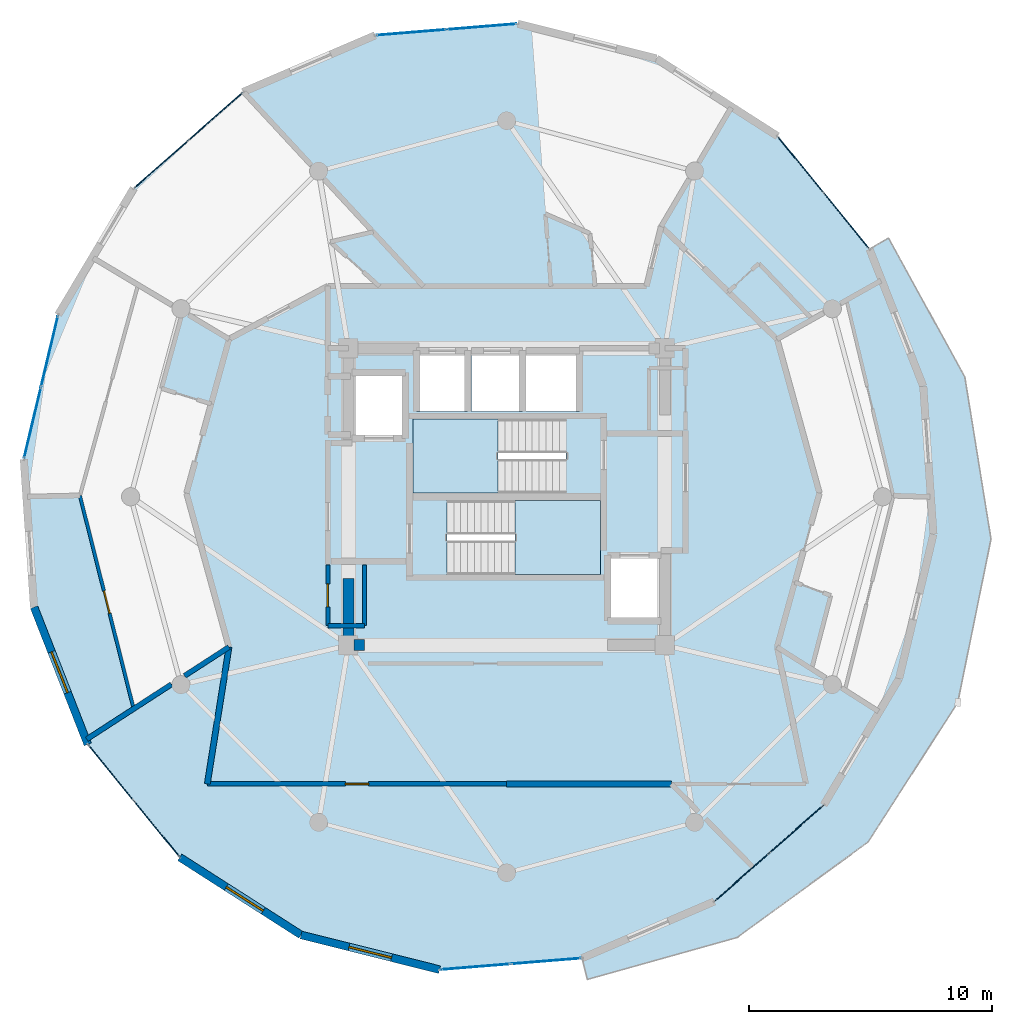
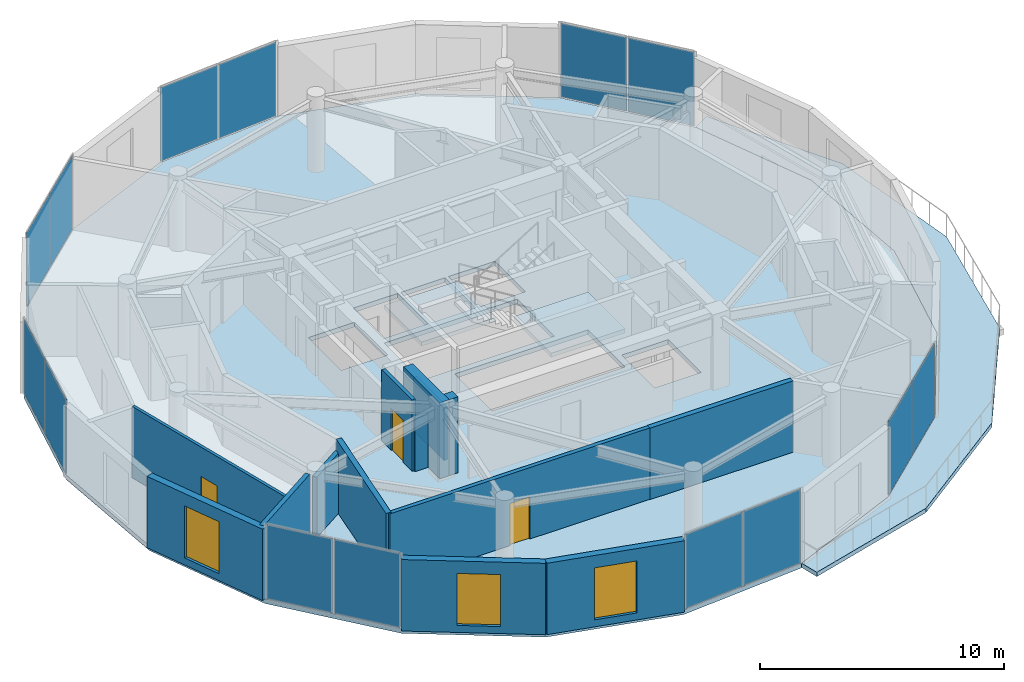
# One storey, part 16 of 22: 14 plates, 14 walls, 4 slabs, 3 doors, 3 windows, 6 openings, 9 elements without a shape of their own.
"""IFC4 building model written with IfcOpenShell, lengths in metres."""

import ifcopenshell
import ifcopenshell.guid

model = None  # the IFC model being written
_history = None  # IfcOwnerHistory: only IFC2X3 demands one
_inside = {}  # id of a spatial element -> (the spatial element, [elements in it])
_under = {}  # id of a project, library or spatial element -> (it, [spatial elements below it])
_declared = {}  # id of a project -> (the project, [libraries it declares])
_typed = {}  # id of a type object -> (the type object, [elements of that type])
_made_of = {}  # id of a material, layer set ... -> (it, [elements and type objects made of it])


def new_model(schema):
    """Start an empty IFC model of exactly this schema.

    Asked for "IFC4X3", IfcOpenShell would pick the latest addendum, in which some entities
    have other attributes; the version numbers below select the first issue.
    IFC2X3 requires an IfcOwnerHistory on every rooted entity: one is made here for all.
    """
    global model, _history
    if schema == "IFC4X3":
        model = ifcopenshell.file(schema_version=(4, 3, 0, 0))
    else:
        model = ifcopenshell.file(schema=schema)
    _inside.clear()
    _under.clear()
    _declared.clear()
    _typed.clear()
    _made_of.clear()
    _history = None
    if model.schema == "IFC2X3":
        org = make("IfcOrganization", Name="unknown")
        user = make(
            "IfcPersonAndOrganization",
            ThePerson=make("IfcPerson", FamilyName="unknown"),
            TheOrganization=org,
        )
        app = make(
            "IfcApplication",
            ApplicationDeveloper=org,
            Version="unknown",
            ApplicationFullName="unknown",
            ApplicationIdentifier="unknown",
        )
        _history = make(
            "IfcOwnerHistory",
            OwningUser=user,
            OwningApplication=app,
            ChangeAction="ADDED",
            CreationDate=0,
        )
    return model


def make(cls, **values):
    """One entity of the class cls with the attributes given. An attribute that is None is left unset."""
    return model.create_entity(
        cls, **{name: value for name, value in values.items() if value is not None}
    )


def rooted(cls, **values):
    """An entity with a GlobalId (a new one), such as an element, a storey or a relation."""
    return make(cls, GlobalId=ifcopenshell.guid.new(), OwnerHistory=_history, **values)


def si_unit(unit_type, name, prefix=None):
    """IfcSIUnit, for example si_unit("LENGTHUNIT", "METRE", prefix="MILLI")."""
    return make("IfcSIUnit", UnitType=unit_type, Prefix=prefix, Name=name)


def assignment(units):
    """IfcUnitAssignment: the units of a project."""
    return None if units is None else make("IfcUnitAssignment", Units=units)


def point(xyz):
    """IfcCartesianPoint."""
    return None if xyz is None else make("IfcCartesianPoint", Coordinates=xyz)


def direction(xyz):
    """IfcDirection."""
    return None if xyz is None else make("IfcDirection", DirectionRatios=xyz)


def frame(location, z_axis=None, x_axis=None):
    """IfcAxis2Placement3D, a coordinate frame: its origin and axes. An axis left out is left unset."""
    return make(
        "IfcAxis2Placement3D",
        Location=point(location),
        Axis=direction(z_axis),
        RefDirection=direction(x_axis),
    )


def frame_2d(location, x_axis=None):
    """IfcAxis2Placement2D, a coordinate frame in the plane: its origin and x axis."""
    return make(
        "IfcAxis2Placement2D", Location=point(location), RefDirection=direction(x_axis)
    )


def origin():
    """The frame at (0, 0, 0) with its axes left unset."""
    return frame((0.0, 0.0, 0.0))


def origin_2d():
    """The frame at (0, 0) in the plane with its x axis left unset."""
    return frame_2d((0.0, 0.0))


def place(relative_to, where):
    """IfcLocalPlacement: puts the frame where relative to a parent placement (None: the world)."""
    return make(
        "IfcLocalPlacement", PlacementRelTo=relative_to, RelativePlacement=where
    )


def context(
    kind, dimensions, precision=None, world=None, true_north=None, identifier=None
):
    """IfcGeometricRepresentationContext, for example the 3D "Model" context."""
    return make(
        "IfcGeometricRepresentationContext",
        ContextIdentifier=identifier,
        ContextType=kind,
        CoordinateSpaceDimension=dimensions,
        Precision=precision,
        WorldCoordinateSystem=world,
        TrueNorth=true_north,
    )


def subcontext(parent, identifier, kind, view, scale=None):
    """IfcGeometricRepresentationSubContext, for example "Body" below "Model"."""
    return make(
        "IfcGeometricRepresentationSubContext",
        ContextIdentifier=identifier,
        ContextType=kind,
        ParentContext=parent,
        TargetScale=scale,
        TargetView=view,
    )


def project(units=None, contexts=None):
    """IfcProject with its units and contexts."""
    return rooted(
        "IfcProject",
        Name="project",
        RepresentationContexts=contexts,
        UnitsInContext=assignment(units),
    )


def spatial(cls, under=None, at=None, **own):
    """A site, building, storey or space (cls), placed at a placement, below another one or the project."""
    s = rooted(cls, ObjectPlacement=at, **own)
    if under is not None:
        _under.setdefault(under.id(), (under, []))[1].append(s)
    return s


def polyline(points):
    """IfcPolyline through the points."""
    return make("IfcPolyline", Points=[point(p) for p in points])


def profile(cls, at=None, kind="AREA", **sizes):
    """A parametric profile (cls). Its sizes go by their IFC names, for example OverallWidth=200.0."""
    return make(cls, ProfileType=kind, Position=at, **sizes)


def rectangle(**sizes):
    """IfcRectangleProfileDef."""
    return profile("IfcRectangleProfileDef", **sizes)


def outline(outer, holes=None, kind="AREA"):
    """IfcArbitraryClosedProfileDef: a profile drawn as a closed curve; with holes, ...WithVoids."""
    if holes is None:
        return make("IfcArbitraryClosedProfileDef", ProfileType=kind, OuterCurve=outer)
    return make(
        "IfcArbitraryProfileDefWithVoids",
        ProfileType=kind,
        OuterCurve=outer,
        InnerCurves=holes,
    )


def extrude(swept, where, along, depth):
    """IfcExtrudedAreaSolid: the profile swept, set in the frame where, extruded along a direction by depth."""
    return make(
        "IfcExtrudedAreaSolid",
        SweptArea=swept,
        Position=where,
        ExtrudedDirection=direction(along),
        Depth=depth,
    )


def shape(context_of_items, identifier, shape_type, items):
    """IfcShapeRepresentation: the items that make up one representation, for example the "Body"."""
    return make(
        "IfcShapeRepresentation",
        ContextOfItems=context_of_items,
        RepresentationIdentifier=identifier,
        RepresentationType=shape_type,
        Items=items,
    )


def source(mapping_origin, context_of_items, identifier, shape_type, items):
    """IfcRepresentationMap: a shape defined once, which mapped items show again and again."""
    return make(
        "IfcRepresentationMap",
        MappingOrigin=mapping_origin,
        MappedRepresentation=shape(context_of_items, identifier, shape_type, items),
    )


def transform(
    local_origin,
    x_axis=None,
    y_axis=None,
    z_axis=None,
    scale=None,
    scale2=None,
    scale3=None,
    uniform=True,
):
    """IfcCartesianTransformationOperator3D, or its non-uniform kind. x_axis, y_axis, z_axis: its Axis1, 2, 3."""
    if uniform:
        return make(
            "IfcCartesianTransformationOperator3D",
            Axis1=direction(x_axis),
            Axis2=direction(y_axis),
            LocalOrigin=point(local_origin),
            Scale=scale,
            Axis3=direction(z_axis),
        )
    return make(
        "IfcCartesianTransformationOperator3DnonUniform",
        Axis1=direction(x_axis),
        Axis2=direction(y_axis),
        LocalOrigin=point(local_origin),
        Scale=scale,
        Axis3=direction(z_axis),
        Scale2=scale2,
        Scale3=scale3,
    )


def mapped(mapping_source, mapping_target):
    """IfcMappedItem: shows the shape of a source again, moved by a transform."""
    return make(
        "IfcMappedItem", MappingSource=mapping_source, MappingTarget=mapping_target
    )


def material(Name=None, Category=None):
    """IfcMaterial."""
    return make("IfcMaterial", Name=Name, Category=Category)


def layer(
    of_material, thickness, ventilated=None, Name=None, Category=None, Priority=None
):
    """IfcMaterialLayer: one layer of a wall or slab, of a material (None: an air gap)."""
    return make(
        "IfcMaterialLayer",
        Material=of_material,
        LayerThickness=thickness,
        IsVentilated=ventilated,
        Name=Name,
        Category=Category,
        Priority=Priority,
    )


def layer_set(layers, Name=None):
    """IfcMaterialLayerSet."""
    return make("IfcMaterialLayerSet", MaterialLayers=layers, LayerSetName=Name)


def made_of(thing, what):
    """Note that an element or type object is made of a material, layer set ...; save() writes the relation."""
    if what is not None:
        _made_of.setdefault(what.id(), (what, []))[1].append(thing)
    return thing


def type_object(cls, material=None, **own):
    """A type object (cls), such as IfcWallType, which elements share."""
    return made_of(rooted(cls, **own), material)


def element(
    cls,
    number,
    at=None,
    inside=None,
    cuts=None,
    type_object=None,
    material=None,
    context=None,
    identifier="Body",
    shape_type=None,
    held_by="IfcProductDefinitionShape",
    body=None,
    shapes=None,
    **own,
):
    """One element of the class cls, such as IfcWall. Its Tag is "e" and its number.

    at: its placement. inside: the storey or other place that contains it. cuts: it is an
    opening in that element (IfcRelVoidsElement). A single representation is given by context,
    identifier, shape_type and body (its items); several are given by shapes. held_by: the class
    of the entity that holds the representations. save() writes the other relations.
    """
    e = rooted(cls, Tag="e%d" % number, ObjectPlacement=at, **own)
    if body is not None:
        shapes = [shape(context, identifier, shape_type, body)]
    if shapes is not None:
        e.Representation = make(held_by, Representations=shapes)
    if inside is not None:
        _inside.setdefault(inside.id(), (inside, []))[1].append(e)
    if cuts is not None:
        rooted(
            "IfcRelVoidsElement", RelatingBuildingElement=cuts, RelatedOpeningElement=e
        )
    if type_object is not None:
        _typed.setdefault(type_object.id(), (type_object, []))[1].append(e)
    return made_of(e, material)


def fill(opening, filler):
    """IfcRelFillsElement: the door or window that sits in an opening."""
    return rooted(
        "IfcRelFillsElement",
        RelatingOpeningElement=opening,
        RelatedBuildingElement=filler,
    )


def aggregate(whole, parts):
    """IfcRelAggregates: a whole, such as a stair, and the parts it consists of."""
    return rooted("IfcRelAggregates", RelatingObject=whole, RelatedObjects=parts)


def save(model, path):
    """Write the relations noted so far, then the file.

    IfcRelAggregates (storeys below a building ...), IfcRelContainedInSpatialStructure (elements
    in a storey), IfcRelDefinesByType, IfcRelAssociatesMaterial and IfcRelDeclares: one each for
    every whole, place, type object, material and project.
    """
    for whole, parts in _under.values():
        aggregate(whole, parts)
    for where, things in _inside.values():
        rooted(
            "IfcRelContainedInSpatialStructure",
            RelatedElements=things,
            RelatingStructure=where,
        )
    for kind, things in _typed.values():
        rooted("IfcRelDefinesByType", RelatedObjects=things, RelatingType=kind)
    for what, things in _made_of.values():
        rooted("IfcRelAssociatesMaterial", RelatedObjects=things, RelatingMaterial=what)
    for by, libraries in _declared.values():
        rooted("IfcRelDeclares", RelatingContext=by, RelatedDefinitions=libraries)
    model.write(path)


model = new_model("IFC4")

# Units and contexts
model_context = context("Model", 3, precision=1e-05, world=origin(), true_north=direction((0.0, 1.0)))
body_context = subcontext(model_context, "Body", "Model", "MODEL_VIEW")
ifc_project = project(units=[si_unit("LENGTHUNIT", "METRE"), si_unit("AREAUNIT", "SQUARE_METRE"), si_unit("VOLUMEUNIT", "CUBIC_METRE"), si_unit("PLANEANGLEUNIT", "RADIAN"), si_unit("MASSUNIT", "GRAM", prefix="KILO")], contexts=[model_context])

# Site, building, storey
site_placement = place(None, origin())
site = spatial("IfcSite", under=ifc_project, at=site_placement, CompositionType="ELEMENT")
building_placement = place(site_placement, origin())
building = spatial("IfcBuilding", under=site, at=building_placement, Name="Solvirekh Grand Hotel", CompositionType="ELEMENT")
storey_placement = place(building_placement, frame((0.0, 0.0, 293.39990234375)))
storey = spatial("IfcBuildingStorey", under=building, at=storey_placement, Name="L76", CompositionType="ELEMENT", Elevation=293.39990234375)

# Slab
ifc_material_1 = material(Name="Concrete C50/60", Category="concrete")
ifc_layer_1 = layer(ifc_material_1, 0.215087890625)
ifc_layer_set_1 = layer_set([ifc_layer_1], Name="Concrete C50/60")
slab_type_1 = type_object("IfcSlabType", Name="ExtCrescentBalc_215", PredefinedType="FLOOR", material=ifc_layer_set_1)
slab_1_placement = place(storey_placement, frame((0.0, 0.0, -0.21484375)))
element("IfcSlab", 1, at=slab_1_placement, inside=storey, type_object=slab_type_1, Name="L76 sweeping crescent balcony slab", PredefinedType="FLOOR", context=body_context, shape_type="SweptSolid", body=[
    extrude(outline(polyline([(3.31494140625, -19.8330078125), (9.471923828125, -18.10791015625), (14.85107421875, -14.18505859375), (18.534912109375, -8.449951171875), (19.90087890625, -1.738037109375), (18.824951171875, 4.9208984375), (15.68798828125, 10.6279296875), (14.910888671875, 10.175048828125), (17.117919921875, 4.5380859375), (17.535888671875, -1.54296875), (16.1259765625, -7.472900390625), (13.02392578125, -12.6708984375), (8.534912109375, -16.62890625), (3.097900390625, -18.958984375), (3.31494140625, -19.8330078125)])), origin(), (0.0, 0.0, 1.0), 0.21484375),
])

# Stair, slab
ifc_material_2 = material(Name="Concrete C40/50", Category="concrete")
stair_type = type_object("IfcStairType", Name="Stair_Core_1450", PredefinedType="HALF_TURN_STAIR", material=ifc_material_2)
stair_1_placement = place(storey_placement, origin())
stair_1 = element("IfcStair", 2, at=stair_1_placement, inside=storey, type_object=stair_type, Name="L76 Enclosed exit stair ST-1", PredefinedType="HALF_TURN_STAIR")
ifc_layer_2 = layer(ifc_material_2, 0.199951171875)
ifc_layer_set_2 = layer_set([ifc_layer_2], Name="Concrete C40/50")
slab_type_2 = type_object("IfcSlabType", Name="Landing_Stair_200", PredefinedType="LANDING", material=ifc_layer_set_2)
slab_2_placement = place(storey_placement, frame((0.0, 0.0, 1.7001953125)))
slab_2 = element("IfcSlab", 3, at=slab_2_placement, type_object=slab_type_2, Name="ST-1 landing 1", PredefinedType="LANDING", context=body_context, shape_type="SweptSolid", body=[
    extrude(outline(polyline([(0.35009765625, -3.199951171875), (3.85009765625, -3.199951171875), (3.85009765625, -0.14990234375), (0.35009765625, -0.14990234375), (0.35009765625, -3.199951171875)])), origin(), (0.0, 0.0, 1.0), 0.199951171875),
])
aggregate(stair_1, [slab_2])

stair_2_placement = place(storey_placement, origin())
stair_2 = element("IfcStair", 4, at=stair_2_placement, inside=storey, type_object=stair_type, Name="L76 Enclosed exit stair ST-2", PredefinedType="HALF_TURN_STAIR")
slab_3_placement = place(storey_placement, frame((0.0, 0.0, 1.7001953125)))
slab_3 = element("IfcSlab", 5, at=slab_3_placement, type_object=slab_type_2, Name="ST-2 landing 1", PredefinedType="LANDING", context=body_context, shape_type="SweptSolid", body=[
    extrude(outline(polyline([(-0.35009765625, 3.199951171875), (-3.85009765625, 3.199951171875), (-3.85009765625, 0.14990234375), (-0.35009765625, 0.14990234375), (-0.35009765625, 3.199951171875)])), origin(), (0.0, 0.0, 1.0), 0.199951171875),
])
aggregate(stair_2, [slab_3])

# Slab
ifc_layer_3 = layer(ifc_material_2, 0.22998046875)
ifc_layer_set_3 = layer_set([ifc_layer_3], Name="Concrete C40/50")
slab_type_3 = type_object("IfcSlabType", Name="Slab_GuestZ4_230", PredefinedType="FLOOR", material=ifc_layer_set_3)
slab_4_placement = place(storey_placement, frame((0.0, 0.0, -0.22998046875)))
element("IfcSlab", 6, at=slab_4_placement, inside=storey, type_object=slab_type_3, Name="L76 structural floor slab", PredefinedType="FLOOR", context=body_context, shape_type="SweptSolid", body=[
    extrude(outline(polyline([(-2.7548828125, -19.43408203125), (3.097900390625, -18.958984375), (8.534912109375, -16.62890625), (13.02392578125, -12.6708984375), (16.1259765625, -7.472900390625), (17.535888671875, -1.54296875), (17.117919921875, 4.5380859375), (14.910888671875, 10.175048828125), (11.132080078125, 14.81494140625), (6.14990234375, 18.006103515625), (0.455078125, 19.43408203125), (-5.39794921875, 18.958984375), (-10.8349609375, 16.62890625), (-15.323974609375, 12.6708984375), (-18.426025390625, 7.472900390625), (-19.8359375, 1.54296875), (-19.41796875, -4.5380859375), (-17.2109375, -10.175048828125), (-13.431884765625, -14.81494140625), (-8.449951171875, -18.006103515625), (-2.7548828125, -19.43408203125)]), holes=[polyline([(-2.444091796875, -0.14990234375), (3.85009765625, -0.14990234375), (3.85009765625, -3.199951171875), (-2.444091796875, -3.199951171875), (-2.444091796875, -0.14990234375)]), polyline([(2.444091796875, 0.14990234375), (-3.85009765625, 0.14990234375), (-3.85009765625, 3.199951171875), (2.444091796875, 3.199951171875), (2.444091796875, 0.14990234375)]), polyline([(-3.699951171875, 6.0), (-1.60009765625, 6.0), (-1.60009765625, 3.5), (-3.699951171875, 3.5), (-3.699951171875, 6.0)]), polyline([(-1.449951171875, 6.0), (0.64990234375, 6.0), (0.64990234375, 3.5), (-1.449951171875, 3.5), (-1.449951171875, 6.0)]), polyline([(0.800048828125, 6.0), (3.0, 6.0), (3.0, 3.5), (0.800048828125, 3.5), (0.800048828125, 6.0)]), polyline([(-6.35009765625, 5.10009765625), (-4.14990234375, 5.10009765625), (-4.14990234375, 2.39990234375), (-6.35009765625, 2.39990234375), (-6.35009765625, 5.10009765625)]), polyline([(4.14990234375, -2.39990234375), (6.35009765625, -2.39990234375), (6.35009765625, -5.10009765625), (4.14990234375, -5.10009765625), (4.14990234375, -2.39990234375)])]), origin(), (0.0, 0.0, 1.0), 0.22998046875),
])

# Curtain wall, plates
ifc_material_3 = material(Name="Anodized Bronze Aluminium 6063-T6", Category="aluminium")
ifc_layer_4 = layer(ifc_material_3, 0.159912109375)
ifc_layer_set_4 = layer_set([ifc_layer_4], Name="Anodized Bronze Aluminium 6063-T6")
curtain_wall_type = type_object("IfcCurtainWallType", Name="CW_Sys4_HighZoneFlushBronzeCW", PredefinedType="NOTDEFINED", material=ifc_layer_set_4)
curtain_wall_1_placement = place(storey_placement, origin())
curtain_wall_1 = element("IfcCurtainWall", 7, at=curtain_wall_1_placement, inside=storey, type_object=curtain_wall_type, Name="L76 unitised bronze-glass curtain wall CW-L76-C03", PredefinedType="NOTDEFINED")
ifc_material_4 = material(Name="Low-E Tinted Bronze Laminated Glass", Category="aluminium")
ifc_layer_5 = layer(ifc_material_4, 0.033935546875)
ifc_layer_set_5 = layer_set([ifc_layer_5], Name="Low-E Tinted Bronze Laminated Glass")
plate_type = type_object("IfcPlateType", Name="CWPanel_High_34", PredefinedType="CURTAIN_PANEL", material=ifc_layer_set_5)
shared_shape_1 = source(origin(), body_context, "Body", "SweptSolid", [
    extrude(rectangle(XDim=2.90234375, YDim=0.033935546875, at=origin_2d()), origin(), (0.0, 0.0, 1.0), 3.68994140625),
])
plate_1_placement = place(storey_placement, frame((9.66845703125, -15.629638671875, 0.05517578125), z_axis=(0.0, 0.0, 1.0), x_axis=(0.750076741767, 0.661350800605, 0.0)))
plate_1 = element("IfcPlate", 8, at=plate_1_placement, type_object=plate_type, Name="U04 panel 1.1", PredefinedType="CURTAIN_PANEL", context=body_context, shape_type="MappedRepresentation", body=[
    mapped(shared_shape_1, transform((0.0, 0.0, 0.0), x_axis=(1.0, 0.0, 0.0), y_axis=(0.0, 1.0, 0.0), z_axis=(0.0, 0.0, 1.0), scale=1.0)),
])
plate_2_placement = place(storey_placement, frame((11.890380859375, -13.67041015625, 0.05517578125), z_axis=(0.0, 0.0, 1.0), x_axis=(0.750076741767, 0.661350800605, 0.0)))
plate_2 = element("IfcPlate", 9, at=plate_2_placement, type_object=plate_type, Name="U04 panel 2.1", PredefinedType="CURTAIN_PANEL", context=body_context, shape_type="MappedRepresentation", body=[
    mapped(shared_shape_1, transform((0.0, 0.0, 0.0), x_axis=(1.0, 0.0, 0.0), y_axis=(0.0, 1.0, 0.0), z_axis=(0.0, 0.0, 1.0), scale=1.0)),
])
aggregate(curtain_wall_1, [plate_1, plate_2])

curtain_wall_2_placement = place(storey_placement, origin())
curtain_wall_2 = element("IfcCurtainWall", 10, at=curtain_wall_2_placement, inside=storey, type_object=curtain_wall_type, Name="L76 unitised bronze-glass curtain wall CW-L76-C13", PredefinedType="NOTDEFINED")
plate_3_placement = place(storey_placement, frame((-11.968505859375, 15.629638671875, 0.05517578125), z_axis=(0.0, 0.0, 1.0), x_axis=(-0.750076741767, -0.661350800605, 0.0)))
plate_3 = element("IfcPlate", 11, at=plate_3_placement, type_object=plate_type, Name="U04 panel 1.1", PredefinedType="CURTAIN_PANEL", context=body_context, shape_type="MappedRepresentation", body=[
    mapped(shared_shape_1, transform((0.0, 0.0, 0.0), x_axis=(1.0, 0.0, 0.0), y_axis=(0.0, 1.0, 0.0), z_axis=(0.0, 0.0, 1.0), scale=1.0)),
])
plate_4_placement = place(storey_placement, frame((-14.1904296875, 13.67041015625, 0.05517578125), z_axis=(0.0, 0.0, 1.0), x_axis=(-0.750076741767, -0.661350800605, 0.0)))
plate_4 = element("IfcPlate", 12, at=plate_4_placement, type_object=plate_type, Name="U04 panel 2.1", PredefinedType="CURTAIN_PANEL", context=body_context, shape_type="MappedRepresentation", body=[
    mapped(shared_shape_1, transform((0.0, 0.0, 0.0), x_axis=(1.0, 0.0, 0.0), y_axis=(0.0, 1.0, 0.0), z_axis=(0.0, 0.0, 1.0), scale=1.0)),
])
aggregate(curtain_wall_2, [plate_3, plate_4])

curtain_wall_3_placement = place(storey_placement, origin())
curtain_wall_3 = element("IfcCurtainWall", 13, at=curtain_wall_3_placement, inside=storey, type_object=curtain_wall_type, Name="L76 unitised bronze-glass curtain wall CW-L76-C01", PredefinedType="NOTDEFINED")
shared_shape_2 = source(origin(), body_context, "Body", "SweptSolid", [
    extrude(rectangle(XDim=2.84619140625, YDim=0.033935546875, at=origin_2d()), origin(), (0.0, 0.0, 1.0), 3.68994140625),
])
plate_5_placement = place(storey_placement, frame((-1.27685546875, -19.31396484375, 0.05517578125), z_axis=(0.0, 0.0, 1.0), x_axis=(0.996723113609, 0.080889027676, 0.0)))
plate_5 = element("IfcPlate", 14, at=plate_5_placement, type_object=plate_type, Name="U04 panel 1.1", PredefinedType="CURTAIN_PANEL", context=body_context, shape_type="MappedRepresentation", body=[
    mapped(shared_shape_2, transform((0.0, 0.0, 0.0), x_axis=(1.0, 0.0, 0.0), y_axis=(0.0, 1.0, 0.0), z_axis=(0.0, 0.0, 1.0), scale=1.0)),
])
plate_6_placement = place(storey_placement, frame((1.619873046875, -19.078857421875, 0.05517578125), z_axis=(0.0, 0.0, 1.0), x_axis=(0.996723113609, 0.080889027676, 0.0)))
plate_6 = element("IfcPlate", 15, at=plate_6_placement, type_object=plate_type, Name="U04 panel 2.1", PredefinedType="CURTAIN_PANEL", context=body_context, shape_type="MappedRepresentation", body=[
    mapped(shared_shape_2, transform((0.0, 0.0, 0.0), x_axis=(1.0, 0.0, 0.0), y_axis=(0.0, 1.0, 0.0), z_axis=(0.0, 0.0, 1.0), scale=1.0)),
])
aggregate(curtain_wall_3, [plate_5, plate_6])

curtain_wall_4_placement = place(storey_placement, origin())
curtain_wall_4 = element("IfcCurtainWall", 16, at=curtain_wall_4_placement, inside=storey, type_object=curtain_wall_type, Name="L76 unitised bronze-glass curtain wall CW-L76-C11", PredefinedType="NOTDEFINED")
plate_7_placement = place(storey_placement, frame((-1.023193359375, 19.31396484375, 0.05517578125), z_axis=(0.0, 0.0, 1.0), x_axis=(-0.996723113609, -0.080889027676, 0.0)))
plate_7 = element("IfcPlate", 17, at=plate_7_placement, type_object=plate_type, Name="U04 panel 1.1", PredefinedType="CURTAIN_PANEL", context=body_context, shape_type="MappedRepresentation", body=[
    mapped(shared_shape_2, transform((0.0, 0.0, 0.0), x_axis=(1.0, 0.0, 0.0), y_axis=(0.0, 1.0, 0.0), z_axis=(0.0, 0.0, 1.0), scale=1.0)),
])
plate_8_placement = place(storey_placement, frame((-3.919677734375, 19.078857421875, 0.05517578125), z_axis=(0.0, 0.0, 1.0), x_axis=(-0.996723113609, -0.080889027676, 0.0)))
plate_8 = element("IfcPlate", 18, at=plate_8_placement, type_object=plate_type, Name="U04 panel 2.1", PredefinedType="CURTAIN_PANEL", context=body_context, shape_type="MappedRepresentation", body=[
    mapped(shared_shape_2, transform((0.0, 0.0, 0.0), x_axis=(1.0, 0.0, 0.0), y_axis=(0.0, 1.0, 0.0), z_axis=(0.0, 0.0, 1.0), scale=1.0)),
])
aggregate(curtain_wall_4, [plate_7, plate_8])

curtain_wall_5_placement = place(storey_placement, origin())
curtain_wall_5 = element("IfcCurtainWall", 19, at=curtain_wall_5_placement, inside=storey, type_object=curtain_wall_type, Name="L76 unitised bronze-glass curtain wall CW-L76-C08", PredefinedType="NOTDEFINED")
shared_shape_3 = source(origin(), body_context, "Body", "SweptSolid", [
    extrude(rectangle(XDim=2.902099609375, YDim=0.033935546875, at=origin_2d()), origin(), (0.0, 0.0, 1.0), 3.68994140625),
])
plate_9_placement = place(storey_placement, frame((13.956787109375, 11.3466796875, 0.05517578125), z_axis=(0.0, 0.0, 1.0), x_axis=(-0.631498113143, 0.775377413326, 0.0)))
plate_9 = element("IfcPlate", 20, at=plate_9_placement, type_object=plate_type, Name="U04 panel 1.1", PredefinedType="CURTAIN_PANEL", context=body_context, shape_type="MappedRepresentation", body=[
    mapped(shared_shape_3, transform((0.0, 0.0, 0.0), x_axis=(1.0, 0.0, 0.0), y_axis=(0.0, 1.0, 0.0), z_axis=(0.0, 0.0, 1.0), scale=1.0)),
])
plate_10_placement = place(storey_placement, frame((12.086181640625, 13.643310546875, 0.05517578125), z_axis=(0.0, 0.0, 1.0), x_axis=(-0.631498113143, 0.775377413326, 0.0)))
plate_10 = element("IfcPlate", 21, at=plate_10_placement, type_object=plate_type, Name="U04 panel 2.1", PredefinedType="CURTAIN_PANEL", context=body_context, shape_type="MappedRepresentation", body=[
    mapped(shared_shape_3, transform((0.0, 0.0, 0.0), x_axis=(1.0, 0.0, 0.0), y_axis=(0.0, 1.0, 0.0), z_axis=(0.0, 0.0, 1.0), scale=1.0)),
])
aggregate(curtain_wall_5, [plate_9, plate_10])

curtain_wall_6_placement = place(storey_placement, origin())
curtain_wall_6 = element("IfcCurtainWall", 22, at=curtain_wall_6_placement, inside=storey, type_object=curtain_wall_type, Name="L76 unitised bronze-glass curtain wall CW-L76-C18", PredefinedType="NOTDEFINED")
plate_11_placement = place(storey_placement, frame((-16.2568359375, -11.3466796875, 0.05517578125), z_axis=(0.0, 0.0, 1.0), x_axis=(0.631498113143, -0.775377413326, 0.0)))
plate_11 = element("IfcPlate", 23, at=plate_11_placement, type_object=plate_type, Name="U04 panel 1.1", PredefinedType="CURTAIN_PANEL", context=body_context, shape_type="MappedRepresentation", body=[
    mapped(shared_shape_3, transform((0.0, 0.0, 0.0), x_axis=(1.0, 0.0, 0.0), y_axis=(0.0, 1.0, 0.0), z_axis=(0.0, 0.0, 1.0), scale=1.0)),
])
plate_12_placement = place(storey_placement, frame((-14.38623046875, -13.643310546875, 0.05517578125), z_axis=(0.0, 0.0, 1.0), x_axis=(0.631498113143, -0.775377413326, 0.0)))
plate_12 = element("IfcPlate", 24, at=plate_12_placement, type_object=plate_type, Name="U04 panel 2.1", PredefinedType="CURTAIN_PANEL", context=body_context, shape_type="MappedRepresentation", body=[
    mapped(shared_shape_3, transform((0.0, 0.0, 0.0), x_axis=(1.0, 0.0, 0.0), y_axis=(0.0, 1.0, 0.0), z_axis=(0.0, 0.0, 1.0), scale=1.0)),
])
aggregate(curtain_wall_6, [plate_11, plate_12])

curtain_wall_7_placement = place(storey_placement, origin())
curtain_wall_7 = element("IfcCurtainWall", 25, at=curtain_wall_7_placement, inside=storey, type_object=curtain_wall_type, Name="L76 unitised bronze-glass curtain wall CW-L76-C15", PredefinedType="NOTDEFINED")
shared_shape_4 = source(origin(), body_context, "Body", "SweptSolid", [
    extrude(rectangle(XDim=2.957763671875, YDim=0.033935546875, at=origin_2d()), origin(), (0.0, 0.0, 1.0), 3.68994140625),
])
plate_13_placement = place(storey_placement, frame((-18.781982421875, 5.975830078125, 0.05517578125), z_axis=(0.0, 0.0, 1.0), x_axis=(-0.2313247859, -0.972876581807, 0.0)))
plate_13 = element("IfcPlate", 26, at=plate_13_placement, type_object=plate_type, Name="U04 panel 1.1", PredefinedType="CURTAIN_PANEL", context=body_context, shape_type="MappedRepresentation", body=[
    mapped(shared_shape_4, transform((0.0, 0.0, 0.0), x_axis=(1.0, 0.0, 0.0), y_axis=(0.0, 1.0, 0.0), z_axis=(0.0, 0.0, 1.0), scale=1.0)),
])
plate_14_placement = place(storey_placement, frame((-19.47998046875, 3.0400390625, 0.05517578125), z_axis=(0.0, 0.0, 1.0), x_axis=(-0.2313247859, -0.972876581807, 0.0)))
plate_14 = element("IfcPlate", 27, at=plate_14_placement, type_object=plate_type, Name="U04 panel 2.1", PredefinedType="CURTAIN_PANEL", context=body_context, shape_type="MappedRepresentation", body=[
    mapped(shared_shape_4, transform((0.0, 0.0, 0.0), x_axis=(1.0, 0.0, 0.0), y_axis=(0.0, 1.0, 0.0), z_axis=(0.0, 0.0, 1.0), scale=1.0)),
])
aggregate(curtain_wall_7, [plate_13, plate_14])

# Walls
ifc_layer_6 = layer(ifc_material_1, 0.449951171875)
ifc_layer_set_6 = layer_set([ifc_layer_6], Name="Concrete C50/60")
wall_type_1 = type_object("IfcWallType", Name="CoreWall_RC450", PredefinedType="SHEAR", material=ifc_layer_set_6)
wall_1_placement = place(storey_placement, frame((-6.27490234375, -6.10009765625, 0.0), z_axis=(0.0, 0.0, 1.0), x_axis=(1.0, 0.0, 0.0)))
element("IfcWall", 28, at=wall_1_placement, inside=storey, type_object=wall_type_1, Name="L76 core corner shear wall SW-S", PredefinedType="SHEAR", context=body_context, shape_type="SweptSolid", body=[
    extrude(rectangle(XDim=0.4248046875, YDim=0.449951171875, at=frame_2d((0.21240234375, 0.0))), origin(), (0.0, 0.0, 1.0), 3.800048828125),
])
wall_2_placement = place(storey_placement, frame((-6.5, -6.324951171875, 0.0), z_axis=(0.0, 0.0, 1.0), x_axis=(0.0, 1.0, 0.0)))
element("IfcWall", 29, at=wall_2_placement, inside=storey, type_object=wall_type_1, Name="L76 core corner shear wall WS-W", PredefinedType="SHEAR", context=body_context, shape_type="SweptSolid", body=[
    extrude(rectangle(XDim=2.974853515625, YDim=0.449951171875, at=frame_2d((1.4873046875, 0.0))), origin(), (0.0, 0.0, 1.0), 3.800048828125),
])

# Wall, opening, window
ifc_material_5 = material(Name="Precast concrete C45/55", Category="concrete")
ifc_layer_7 = layer(ifc_material_5, 0.320068359375)
ifc_layer_set_7 = layer_set([ifc_layer_7], Name="Precast concrete C45/55")
wall_type_2 = type_object("IfcWallType", Name="ExtLobbyWall_RC320", PredefinedType="SOLIDWALL", material=ifc_layer_set_7)
wall_3_placement = place(storey_placement, frame((-17.2109375, -10.175048828125, 0.0), z_axis=(0.0, 0.0, 1.0), x_axis=(-0.364580296342, 0.931171953787, 0.0)))
wall_3 = element("IfcWall", 30, at=wall_3_placement, inside=storey, type_object=wall_type_2, Name="L76 exterior structural wall chord 17", PredefinedType="SOLIDWALL", context=body_context, shape_type="SweptSolid", body=[
    extrude(rectangle(XDim=6.0537109375, YDim=0.320068359375, at=frame_2d((3.02685546875, 0.0))), origin(), (0.0, 0.0, 1.0), 3.570068359375),
])
opening_1_placement = place(wall_3_placement, frame((2.283935546875, 0.0, 0.35009765625)))
opening_1 = element("IfcOpeningElement", 31, at=opening_1_placement, cuts=wall_3, Name="Opening W02", PredefinedType="OPENING", context=body_context, shape_type="SweptSolid", body=[
    extrude(rectangle(XDim=1.800048828125, YDim=2.60009765625, at=frame_2d((0.89990234375, 1.300048828125))), frame((0.0, 0.169921875, 0.0), z_axis=(0.0, -1.0, 0.0), x_axis=(1.0, 0.0, 0.0)), (0.0, 0.0, 1.0), 0.340087890625),
])
window_type = type_object("IfcWindowType", Name="Win_LobbyExt_1800X2600", PartitioningType="SINGLE_PANEL", PredefinedType="WINDOW", material=ifc_material_4)
window_1_placement = place(opening_1_placement, origin())
window_1 = element("IfcWindow", 32, at=window_1_placement, inside=storey, type_object=window_type, Name="L76 panoramic bronze-framed window 17", OverallHeight=2.60009765625, OverallWidth=1.800048828125, PartitioningType="SINGLE_PANEL", PredefinedType="WINDOW", context=body_context, shape_type="SweptSolid", body=[
    extrude(rectangle(XDim=1.800048828125, YDim=2.60009765625, at=frame_2d((0.89990234375, 1.300048828125))), frame((0.0, 0.030029296875, 0.0), z_axis=(0.0, -1.0, 0.0), x_axis=(1.0, 0.0, 0.0)), (0.0, 0.0, 1.0), 0.06005859375),
])
fill(opening_1, window_1)

wall_4_placement = place(storey_placement, frame((-8.449951171875, -18.006103515625, 0.0), z_axis=(0.0, 0.0, 1.0), x_axis=(-0.84206224666, 0.539380359997, 0.0)))
wall_4 = element("IfcWall", 33, at=wall_4_placement, inside=storey, type_object=wall_type_2, Name="L76 exterior structural wall chord 19", PredefinedType="SOLIDWALL", context=body_context, shape_type="SweptSolid", body=[
    extrude(rectangle(XDim=5.916259765625, YDim=0.320068359375, at=frame_2d((2.9580078125, 0.0))), origin(), (0.0, 0.0, 1.0), 3.570068359375),
])
opening_2_placement = place(wall_4_placement, frame((1.843017578125, 0.0, 0.35009765625)))
opening_2 = element("IfcOpeningElement", 34, at=opening_2_placement, cuts=wall_4, Name="Opening W02", PredefinedType="OPENING", context=body_context, shape_type="SweptSolid", body=[
    extrude(rectangle(XDim=1.800048828125, YDim=2.60009765625, at=frame_2d((0.89990234375, 1.300048828125))), frame((0.0, 0.169921875, 0.0), z_axis=(0.0, -1.0, 0.0), x_axis=(1.0, 0.0, 0.0)), (0.0, 0.0, 1.0), 0.340087890625),
])
window_2_placement = place(opening_2_placement, origin())
window_2 = element("IfcWindow", 35, at=window_2_placement, inside=storey, type_object=window_type, Name="L76 panoramic bronze-framed window 19", OverallHeight=2.60009765625, OverallWidth=1.800048828125, PartitioningType="SINGLE_PANEL", PredefinedType="WINDOW", context=body_context, shape_type="SweptSolid", body=[
    extrude(rectangle(XDim=1.800048828125, YDim=2.60009765625, at=frame_2d((0.89990234375, 1.300048828125))), frame((0.0, 0.030029296875, 0.0), z_axis=(0.0, -1.0, 0.0), x_axis=(1.0, 0.0, 0.0)), (0.0, 0.0, 1.0), 0.06005859375),
])
fill(opening_2, window_2)

wall_5_placement = place(storey_placement, frame((-2.7548828125, -19.43408203125, 0.0), z_axis=(0.0, 0.0, 1.0), x_axis=(-0.969973492968, 0.24321065548, 0.0)))
wall_5 = element("IfcWall", 36, at=wall_5_placement, inside=storey, type_object=wall_type_2, Name="L76 exterior structural wall chord 20", PredefinedType="SOLIDWALL", context=body_context, shape_type="SweptSolid", body=[
    extrude(rectangle(XDim=5.871337890625, YDim=0.320068359375, at=frame_2d((2.935546875, 0.0))), origin(), (0.0, 0.0, 1.0), 3.570068359375),
])
opening_3_placement = place(wall_5_placement, frame((2.035888671875, 0.0, 0.35009765625)))
opening_3 = element("IfcOpeningElement", 37, at=opening_3_placement, cuts=wall_5, Name="Opening W02", PredefinedType="OPENING", context=body_context, shape_type="SweptSolid", body=[
    extrude(rectangle(XDim=1.800048828125, YDim=2.60009765625, at=frame_2d((0.89990234375, 1.300048828125))), frame((0.0, 0.169921875, 0.0), z_axis=(0.0, -1.0, 0.0), x_axis=(1.0, 0.0, 0.0)), (0.0, 0.0, 1.0), 0.340087890625),
])
window_3_placement = place(opening_3_placement, origin())
window_3 = element("IfcWindow", 38, at=window_3_placement, inside=storey, type_object=window_type, Name="L76 panoramic bronze-framed window 20", OverallHeight=2.60009765625, OverallWidth=1.800048828125, PartitioningType="SINGLE_PANEL", PredefinedType="WINDOW", context=body_context, shape_type="SweptSolid", body=[
    extrude(rectangle(XDim=1.800048828125, YDim=2.60009765625, at=frame_2d((0.89990234375, 1.300048828125))), frame((0.0, 0.030029296875, 0.0), z_axis=(0.0, -1.0, 0.0), x_axis=(1.0, 0.0, 0.0)), (0.0, 0.0, 1.0), 0.06005859375),
])
fill(opening_3, window_3)

# Walls
ifc_material_6 = material(Name="Acoustic Gypsum Partition Assembly")
ifc_layer_8 = layer(ifc_material_6, 0.1650390625)
ifc_layer_set_8 = layer_set([ifc_layer_8], Name="Acoustic Gypsum Partition Assembly")
wall_type_3 = type_object("IfcWallType", Name="Part_BOH_165", PredefinedType="PARTITIONING", material=ifc_layer_set_8)
wall_6_placement = place(storey_placement, frame((-7.35009765625, -5.300048828125, 0.0), z_axis=(0.0, 0.0, 1.0), x_axis=(1.0, 0.0, 0.0)))
element("IfcWall", 39, at=wall_6_placement, inside=storey, type_object=wall_type_3, Name="L76 L76 Core Linen Store wall 1", PredefinedType="PARTITIONING", context=body_context, shape_type="SweptSolid", body=[
    extrude(rectangle(XDim=1.5, YDim=0.1650390625, at=frame_2d((0.75, 0.0))), origin(), (0.0, 0.0, 1.0), 2.655029296875),
])
wall_7_placement = place(storey_placement, frame((-5.85009765625, -5.300048828125, 0.0), z_axis=(0.0, 0.0, 1.0), x_axis=(0.0, 1.0, 0.0)))
element("IfcWall", 40, at=wall_7_placement, inside=storey, type_object=wall_type_3, Name="L76 L76 Core Linen Store wall 2", PredefinedType="PARTITIONING", context=body_context, shape_type="SweptSolid", body=[
    extrude(rectangle(XDim=2.5, YDim=0.1650390625, at=frame_2d((1.25, 0.0))), origin(), (0.0, 0.0, 1.0), 2.655029296875),
])

# Wall, opening, door
wall_8_placement = place(storey_placement, frame((-7.35009765625, -2.800048828125, 0.0), z_axis=(0.0, 0.0, 1.0), x_axis=(0.0, -1.0, 0.0)))
wall_8 = element("IfcWall", 41, at=wall_8_placement, inside=storey, type_object=wall_type_3, Name="L76 L76 Core Linen Store wall 4", PredefinedType="PARTITIONING", context=body_context, shape_type="SweptSolid", body=[
    extrude(rectangle(XDim=2.5, YDim=0.1650390625, at=frame_2d((1.25, 0.0))), origin(), (0.0, 0.0, 1.0), 3.570068359375),
])
opening_4_placement = place(wall_8_placement, frame((0.77490234375, 0.0, 0.0)))
opening_4 = element("IfcOpeningElement", 42, at=opening_4_placement, cuts=wall_8, Name="Opening D10", PredefinedType="OPENING", context=body_context, shape_type="SweptSolid", body=[
    extrude(rectangle(XDim=0.949951171875, YDim=2.10009765625, at=frame_2d((0.47509765625, 1.050048828125))), frame((0.0, 0.092529296875, 0.0), z_axis=(0.0, -1.0, 0.0), x_axis=(1.0, 0.0, 0.0)), (0.0, 0.0, 1.0), 0.18505859375),
])
door_type = type_object("IfcDoorType", Name="Door_RoomInt_950X2100", OperationType="NOTDEFINED", PredefinedType="DOOR", material=ifc_material_3)
door_1_placement = place(opening_4_placement, origin())
door_1 = element("IfcDoor", 43, at=door_1_placement, inside=storey, type_object=door_type, Name="L76 L76 Core Linen Store door", OperationType="SINGLE_SWING_RIGHT", OverallHeight=2.10009765625, OverallWidth=0.949951171875, PredefinedType="DOOR", context=body_context, shape_type="SweptSolid", body=[
    extrude(rectangle(XDim=0.949951171875, YDim=2.10009765625, at=frame_2d((0.47509765625, 1.050048828125))), frame((0.0, 0.02490234375, 0.0), z_axis=(0.0, -1.0, 0.0), x_axis=(1.0, 0.0, 0.0)), (0.0, 0.0, 1.0), 0.050048828125),
])
fill(opening_4, door_1)

# Walls
ifc_layer_9 = layer(ifc_material_6, 0.239990234375)
ifc_layer_set_9 = layer_set([ifc_layer_9], Name="Acoustic Gypsum Partition Assembly")
wall_type_4 = type_object("IfcWallType", Name="Part_Corridor_240", PredefinedType="PARTITIONING", material=ifc_layer_set_9)
wall_9_placement = place(storey_placement, frame((-11.407958984375, -6.175048828125, 0.0), z_axis=(0.0, 0.0, 1.0), x_axis=(-0.156636128869, -0.987656379078, 0.0)))
element("IfcWall", 44, at=wall_9_placement, inside=storey, type_object=wall_type_4, Name="L76 L76 Astronomical Tea Lounge corridor wall 1", PredefinedType="PARTITIONING", context=body_context, shape_type="SweptSolid", body=[
    extrude(rectangle(XDim=5.6953125, YDim=0.239990234375, at=frame_2d((2.84765625, 0.0))), origin(), (0.0, 0.0, 1.0), 3.570068359375),
])
wall_10_placement = place(storey_placement, frame((0.0, -11.800048828125, 0.0), z_axis=(0.0, 0.0, 1.0), x_axis=(1.0, 0.0, 0.0)))
element("IfcWall", 45, at=wall_10_placement, inside=storey, type_object=wall_type_4, Name="L76 L76 Astronomical Tea Lounge corridor wall 2", PredefinedType="PARTITIONING", context=body_context, shape_type="SweptSolid", body=[
    extrude(rectangle(XDim=6.764892578125, YDim=0.239990234375, at=frame_2d((3.38232421875, 0.0))), origin(), (0.0, 0.0, 1.0), 3.570068359375),
])

# Wall, opening, door
ifc_layer_10 = layer(ifc_material_6, 0.18994140625)
ifc_layer_set_10 = layer_set([ifc_layer_10], Name="Acoustic Gypsum Partition Assembly")
wall_type_5 = type_object("IfcWallType", Name="Part_GuestDemise_190", PredefinedType="PARTITIONING", material=ifc_layer_set_10)
wall_11_placement = place(storey_placement, frame((-12.300048828125, -11.800048828125, 0.0), z_axis=(0.0, 0.0, 1.0), x_axis=(1.0, 0.0, 0.0)))
wall_11 = element("IfcWall", 46, at=wall_11_placement, inside=storey, type_object=wall_type_5, Name="L76 L76 Astronomical Tea Lounge entrance wall", PredefinedType="PARTITIONING", context=body_context, shape_type="SweptSolid", body=[
    extrude(rectangle(XDim=12.300048828125, YDim=0.18994140625, at=frame_2d((6.14990234375, 0.0))), origin(), (0.0, 0.0, 1.0), 3.570068359375),
])
opening_5_placement = place(wall_11_placement, frame((5.675048828125, 0.0, 0.0)))
opening_5 = element("IfcOpeningElement", 47, at=opening_5_placement, cuts=wall_11, Name="Opening D10", PredefinedType="OPENING", context=body_context, shape_type="SweptSolid", body=[
    extrude(rectangle(XDim=0.949951171875, YDim=2.10009765625, at=frame_2d((0.47509765625, 1.050048828125))), frame((0.0, 0.10498046875, 0.0), z_axis=(0.0, -1.0, 0.0), x_axis=(1.0, 0.0, 0.0)), (0.0, 0.0, 1.0), 0.2099609375),
])
door_2_placement = place(opening_5_placement, origin())
door_2 = element("IfcDoor", 48, at=door_2_placement, inside=storey, type_object=door_type, Name="L76 L76 Astronomical Tea Lounge entrance door", OperationType="SINGLE_SWING_RIGHT", OverallHeight=2.10009765625, OverallWidth=0.949951171875, PredefinedType="DOOR", context=body_context, shape_type="SweptSolid", body=[
    extrude(rectangle(XDim=0.949951171875, YDim=2.10009765625, at=frame_2d((0.47509765625, 1.050048828125))), frame((0.0, 0.02490234375, 0.0), z_axis=(0.0, -1.0, 0.0), x_axis=(1.0, 0.0, 0.0)), (0.0, 0.0, 1.0), 0.050048828125),
])
fill(opening_5, door_2)

ifc_layer_11 = layer(ifc_material_6, 0.135009765625)
ifc_layer_set_11 = layer_set([ifc_layer_11], Name="Acoustic Gypsum Partition Assembly")
wall_type_6 = type_object("IfcWallType", Name="Part_RoomInt_135", PredefinedType="PARTITIONING", material=ifc_layer_set_11)
wall_12_placement = place(storey_placement, frame((-17.531982421875, 0.049072265625, 0.0), z_axis=(0.0, 0.0, 1.0), x_axis=(0.244487012049, -0.969652567129, 0.0)))
wall_12 = element("IfcWall", 49, at=wall_12_placement, inside=storey, type_object=wall_type_6, Name="L76 Executive Suite 7803 Panorama Suite Study bedroom screen wall", PredefinedType="PARTITIONING", context=body_context, shape_type="SweptSolid", body=[
    extrude(rectangle(XDim=9.03515625, YDim=0.135009765625, at=frame_2d((4.517578125, 0.0))), origin(), (0.0, 0.0, 1.0), 3.570068359375),
])
opening_6_placement = place(wall_12_placement, frame((4.04296875, 0.0, 0.0)))
opening_6 = element("IfcOpeningElement", 50, at=opening_6_placement, cuts=wall_12, Name="Opening D10", PredefinedType="OPENING", context=body_context, shape_type="SweptSolid", body=[
    extrude(rectangle(XDim=0.949951171875, YDim=2.10009765625, at=frame_2d((0.47509765625, 1.050048828125))), frame((0.0, 0.07763671875, 0.0), z_axis=(0.0, -1.0, 0.0), x_axis=(1.0, 0.0, 0.0)), (0.0, 0.0, 1.0), 0.155029296875),
])
door_3_placement = place(opening_6_placement, origin())
door_3 = element("IfcDoor", 51, at=door_3_placement, inside=storey, type_object=door_type, Name="L76 Executive Suite 7803 Panorama Suite Study master bedroom door", OperationType="SINGLE_SWING_LEFT", OverallHeight=2.10009765625, OverallWidth=0.949951171875, PredefinedType="DOOR", context=body_context, shape_type="SweptSolid", body=[
    extrude(rectangle(XDim=0.949951171875, YDim=2.10009765625, at=frame_2d((0.47509765625, 1.050048828125))), frame((0.0, 0.02490234375, 0.0), z_axis=(0.0, -1.0, 0.0), x_axis=(1.0, 0.0, 0.0)), (0.0, 0.0, 1.0), 0.050048828125),
])
fill(opening_6, door_3)

# Walls
ifc_layer_12 = layer(ifc_material_6, 0.2099609375)
ifc_layer_set_12 = layer_set([ifc_layer_12], Name="Acoustic Gypsum Partition Assembly")
wall_type_7 = type_object("IfcWallType", Name="Part_SuiteDemise_210", PredefinedType="PARTITIONING", material=ifc_layer_set_12)
wall_13_placement = place(storey_placement, frame((-11.407958984375, -6.175048828125, 0.0), z_axis=(0.0, 0.0, 1.0), x_axis=(-0.83928100766, -0.543697885026, 0.0)))
element("IfcWall", 52, at=wall_13_placement, inside=storey, type_object=wall_type_7, Name="L76 suite radial wall 8 (A)", PredefinedType="PARTITIONING", context=body_context, shape_type="SweptSolid", body=[
    extrude(rectangle(XDim=2.175537109375, YDim=0.2099609375, at=frame_2d((1.087890625, 0.0))), origin(), (0.0, 0.0, 1.0), 3.010986328125),
])
wall_14_placement = place(storey_placement, frame((-13.77490234375, -7.7080078125, 0.0), z_axis=(0.0, 0.0, 1.0), x_axis=(-0.83923166981, -0.543774037987, 0.0)))
element("IfcWall", 53, at=wall_14_placement, inside=storey, type_object=wall_type_7, Name="L76 suite radial wall 8 (B)", PredefinedType="PARTITIONING", context=body_context, shape_type="SweptSolid", body=[
    extrude(rectangle(XDim=4.14306640625, YDim=0.2099609375, at=frame_2d((2.071533203125, 0.0))), origin(), (0.0, 0.0, 1.0), 3.570068359375),
])

save(model, "model.ifc")
